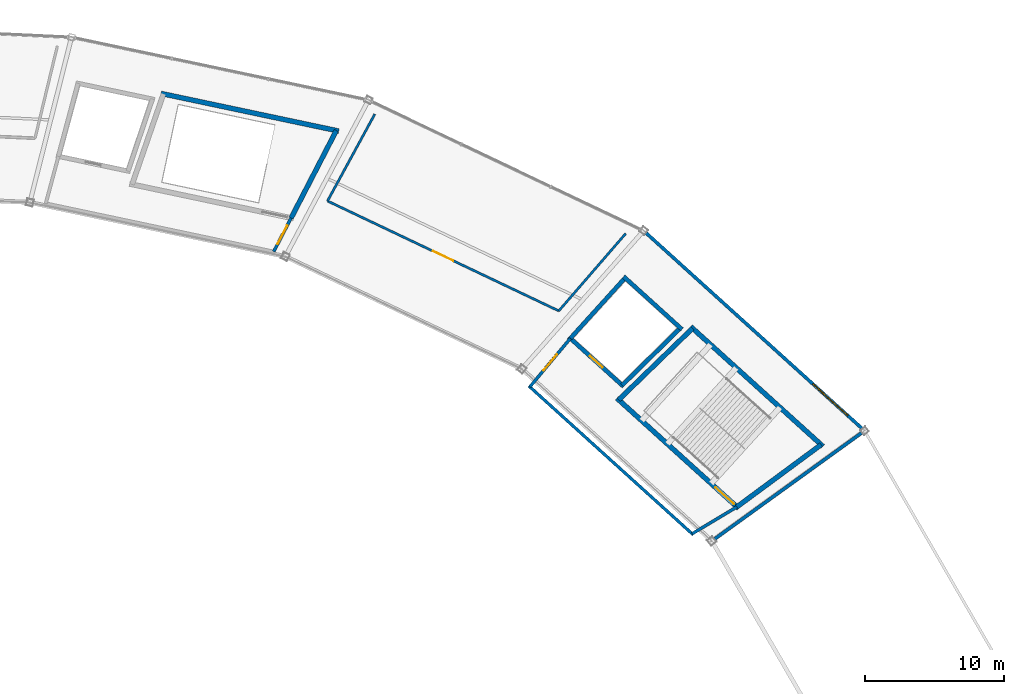
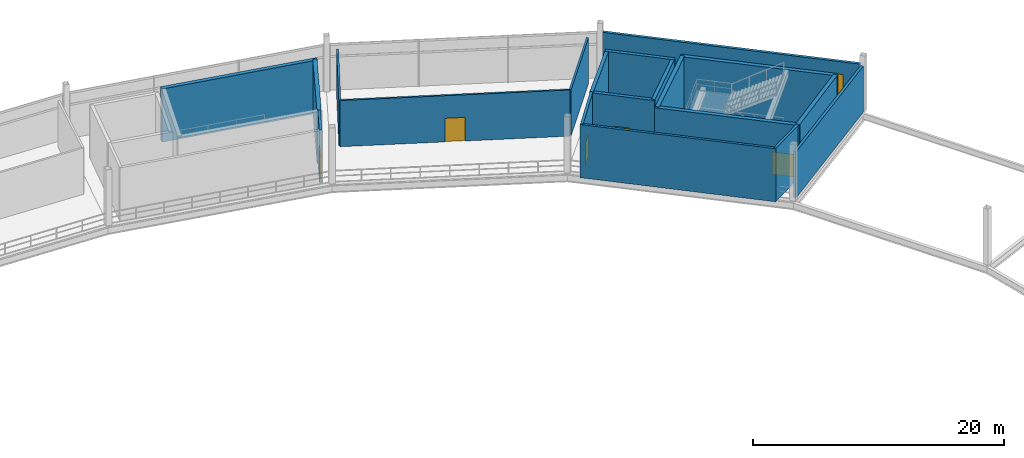
# One storey, part 78 of 103: 19 walls, 5 doors, 1 window, 6 openings.
"""IFC4 building model written with IfcOpenShell, lengths in metres."""

from ifc_helpers import new_model, si_unit, direction, frame, frame_2d, origin, place, context, subcontext, project, spatial, rectangle, extrude, material, layer, layer_set, type_object, element, fill, save


model = new_model("IFC4")

# Units and contexts
model_context = context("Model", 3, precision=1e-05, world=origin(), true_north=direction((0.0, 1.0)))
body_context = subcontext(model_context, "Body", "Model", "MODEL_VIEW")
ifc_project = project(units=[si_unit("LENGTHUNIT", "METRE"), si_unit("AREAUNIT", "SQUARE_METRE"), si_unit("VOLUMEUNIT", "CUBIC_METRE"), si_unit("PLANEANGLEUNIT", "RADIAN"), si_unit("MASSUNIT", "GRAM", prefix="KILO")], contexts=[model_context])

# Site, building, storey
site_placement = place(None, origin())
site = spatial("IfcSite", under=ifc_project, at=site_placement, CompositionType="ELEMENT")
building_placement = place(site_placement, origin())
building = spatial("IfcBuilding", under=site, at=building_placement, Name="Kazemori Nagisa Stadium", CompositionType="ELEMENT")
storey_placement = place(building_placement, frame((0.0, 0.0, 25.840087890625)))
storey = spatial("IfcBuildingStorey", under=building, at=storey_placement, Name="L05", CompositionType="ELEMENT", Elevation=25.840087890625)

# Wall, opening, door
ifc_material_1 = material(Name="Concrete C40/50 (Fc42)", Category="concrete")
ifc_layer_1 = layer(ifc_material_1, 0.35009765625, Name="Concrete C40/50 (Fc42)", Category="concrete")
ifc_layer_set_1 = layer_set([ifc_layer_1], Name="Concrete C40/50 (Fc42)")
wall_type_1 = type_object("IfcWallType", Name="Wall_W-CORE-350", PredefinedType="SHEAR", material=ifc_layer_set_1)
wall_1_placement = place(storey_placement, frame((192.438720703125, 153.072021484375, 0.0), z_axis=(0.0, 0.0, 1.0), x_axis=(-0.741358227035, 0.671109513572, 0.0)))
wall_1 = element("IfcWall", 1, at=wall_1_placement, inside=storey, type_object=wall_type_1, Name="Core stair front shear wall ST01 L05", PredefinedType="SHEAR", context=body_context, shape_type="SweptSolid", body=[
    extrude(rectangle(XDim=11.82666015625, YDim=0.35009765625, at=frame_2d((5.913330078125, 0.0))), origin(), (0.0, 0.0, 1.0), 5.179931640625),
])
opening_1_placement = place(wall_1_placement, frame((0.47509765625, 0.0, 0.0)))
opening_1 = element("IfcOpeningElement", 2, at=opening_1_placement, cuts=wall_1, Name="Opening D-ST-1800", PredefinedType="OPENING", context=body_context, shape_type="SweptSolid", body=[
    extrude(rectangle(XDim=1.800048828125, YDim=2.199951171875, at=frame_2d((0.89990234375, 1.10009765625))), frame((0.0, 0.18505859375, 0.0), z_axis=(0.0, -1.0, 0.0), x_axis=(1.0, 0.0, 0.0)), (0.0, 0.0, 1.0), 0.3701171875),
])
ifc_material_2 = material(Name="Galvanised steel sheet", Category="steel")
door_type_1 = type_object("IfcDoorType", Name="Door_D-ST-1800", OperationType="NOTDEFINED", PredefinedType="DOOR", material=ifc_material_2)
door_1_placement = place(opening_1_placement, frame((1.800048828125, 0.0, 0.0), z_axis=(0.0, 0.0, 1.0), x_axis=(-1.0, 0.0, 0.0)))
door_1 = element("IfcDoor", 3, at=door_1_placement, inside=storey, type_object=door_type_1, Name="Exit stair fire door ST01-L05", OperationType="SINGLE_SWING_LEFT", OverallHeight=2.199951171875, OverallWidth=1.800048828125, PredefinedType="DOOR", context=body_context, shape_type="SweptSolid", body=[
    extrude(rectangle(XDim=1.800048828125, YDim=2.199951171875, at=frame_2d((0.89990234375, 1.10009765625))), frame((0.0, 0.02490234375, 0.0), z_axis=(0.0, -1.0, 0.0), x_axis=(1.0, 0.0, 0.0)), (0.0, 0.0, 1.0), 0.050048828125),
])
fill(opening_1, door_1)

# Walls
wall_2_placement = place(storey_placement, frame((198.499267578125, 157.548095703125, 0.0), z_axis=(0.0, 0.0, 1.0), x_axis=(-0.741351373721, 0.671117084183, 0.0)))
element("IfcWall", 4, at=wall_2_placement, inside=storey, type_object=wall_type_1, Name="Core stair rear shear wall ST01 L05", PredefinedType="SHEAR", context=body_context, shape_type="SweptSolid", body=[
    extrude(rectangle(XDim=12.830322265625, YDim=0.35009765625, at=frame_2d((6.4150390625, 0.0))), origin(), (0.0, 0.0, 1.0), 5.179931640625),
])
wall_3_placement = place(storey_placement, frame((192.308837890625, 153.189453125, 0.0), z_axis=(0.0, 0.0, 1.0), x_axis=(0.804395625347, 0.594093997548, 0.0)))
element("IfcWall", 5, at=wall_3_placement, inside=storey, type_object=wall_type_1, Name="Core stair left shear wall ST01 L05", PredefinedType="SHEAR", context=body_context, shape_type="SweptSolid", body=[
    extrude(rectangle(XDim=7.5341796875, YDim=0.35009765625, at=frame_2d((3.76708984375, 0.0))), origin(), (0.0, 0.0, 1.0), 5.179931640625),
])
wall_4_placement = place(storey_placement, frame((183.800537109375, 160.8916015625, 0.0), z_axis=(0.0, 0.0, 1.0), x_axis=(0.718297398554, 0.69573619083, 0.0)))
element("IfcWall", 6, at=wall_4_placement, inside=storey, type_object=wall_type_1, Name="Core stair right shear wall ST01 L05", PredefinedType="SHEAR", context=body_context, shape_type="SweptSolid", body=[
    extrude(rectangle(XDim=7.40185546875, YDim=0.35009765625, at=frame_2d((3.700927734375, 0.0))), origin(), (0.0, 0.0, 1.0), 5.179931640625),
])
wall_5_placement = place(storey_placement, frame((163.655029296875, 180.2333984375, 0.0), z_axis=(0.0, 0.0, 1.0), x_axis=(-0.978345119536, 0.206980257705, 0.0)))
element("IfcWall", 7, at=wall_5_placement, inside=storey, type_object=wall_type_1, Name="Core stair rear shear wall ST11 L05", PredefinedType="SHEAR", context=body_context, shape_type="SweptSolid", body=[
    extrude(rectangle(XDim=13.06689453125, YDim=0.35009765625, at=frame_2d((6.533447265625, 0.0))), origin(), (0.0, 0.0, 1.0), 5.179931640625),
])
wall_6_placement = place(storey_placement, frame((160.228515625, 173.975830078125, 0.0), z_axis=(0.0, 0.0, 1.0), x_axis=(0.459409796564, 0.888224430435, 0.0)))
element("IfcWall", 8, at=wall_6_placement, inside=storey, type_object=wall_type_1, Name="Core stair left shear wall ST11 L05", PredefinedType="SHEAR", context=body_context, shape_type="SweptSolid", body=[
    extrude(rectangle(XDim=7.0859375, YDim=0.35009765625, at=frame_2d((3.54296875, 0.0))), origin(), (0.0, 0.0, 1.0), 5.179931640625),
])

# Wall, opening, window
ifc_material_3 = material(Name="Steel S355 (SN490B)", Category="steel")
ifc_layer_2 = layer(ifc_material_3, 0.239990234375, Name="Steel S355 (SN490B)", Category="steel")
ifc_layer_set_2 = layer_set([ifc_layer_2], Name="Steel S355 (SN490B)")
wall_type_2 = type_object("IfcWallType", Name="Wall_W-EXT-240", PredefinedType="SOLIDWALL", material=ifc_layer_set_2)
wall_7_placement = place(storey_placement, frame((201.332275390625, 158.815185546875, 0.0), z_axis=(0.0, 0.0, 1.0), x_axis=(-0.741349049196, 0.671119651967, 0.0)))
wall_7 = element("IfcWall", 9, at=wall_7_placement, inside=storey, type_object=wall_type_2, Name="Exterior facade wall L05-04", PredefinedType="SOLIDWALL", context=body_context, shape_type="SweptSolid", body=[
    extrude(rectangle(XDim=21.00390625, YDim=0.239990234375, at=frame_2d((10.501953125, 0.0))), origin(), (0.0, 0.0, 1.0), 4.530029296875),
])
opening_2_placement = place(wall_7_placement, frame((1.39990234375, 0.0, 1.0)))
opening_2 = element("IfcOpeningElement", 10, at=opening_2_placement, cuts=wall_7, Name="Opening WIN-L05-3400", PredefinedType="OPENING", context=body_context, shape_type="SweptSolid", body=[
    extrude(rectangle(XDim=3.39990234375, YDim=2.300048828125, at=frame_2d((1.699951171875, 1.14990234375))), frame((0.0, 0.1298828125, 0.0), z_axis=(0.0, -1.0, 0.0), x_axis=(1.0, 0.0, 0.0)), (0.0, 0.0, 1.0), 0.260009765625),
])
ifc_material_4 = material(Name="Low-e laminated double glazing", Category="glass")
window_type = type_object("IfcWindowType", Name="Window_WIN-L05-3400", PartitioningType="SINGLE_PANEL", PredefinedType="WINDOW", material=ifc_material_4)
window_placement = place(opening_2_placement, origin())
window = element("IfcWindow", 11, at=window_placement, inside=storey, type_object=window_type, Name="Core lobby window L05-04", OverallHeight=2.300048828125, OverallWidth=3.39990234375, PartitioningType="SINGLE_PANEL", PredefinedType="WINDOW", context=body_context, shape_type="SweptSolid", body=[
    extrude(rectangle(XDim=3.39990234375, YDim=2.300048828125, at=frame_2d((1.699951171875, 1.14990234375))), frame((0.0, 0.030029296875, 0.0), z_axis=(0.0, -1.0, 0.0), x_axis=(1.0, 0.0, 0.0)), (0.0, 0.0, 1.0), 0.06005859375),
])
fill(opening_2, window)

# Walls
wall_8_placement = place(storey_placement, frame((190.684326171875, 150.863037109375, 0.0), z_axis=(0.0, 0.0, 1.0), x_axis=(0.810798505274, 0.585325365797, 0.0)))
element("IfcWall", 12, at=wall_8_placement, inside=storey, type_object=wall_type_2, Name="Gondola end facade wall L05-B04L", PredefinedType="SOLIDWALL", context=body_context, shape_type="SweptSolid", body=[
    extrude(rectangle(XDim=13.11376953125, YDim=0.239990234375, at=frame_2d((6.556884765625, 0.0))), origin(), (0.0, 0.0, 1.0), 4.47802734375),
])
ifc_material_5 = material(Name="Concrete C36/45 (Fc36)", Category="concrete")
ifc_layer_3 = layer(ifc_material_5, 0.219970703125, Name="Concrete C36/45 (Fc36)", Category="concrete")
ifc_layer_set_3 = layer_set([ifc_layer_3], Name="Concrete C36/45 (Fc36)")
wall_type_3 = type_object("IfcWallType", Name="Wall_W-LOBBY-220", PredefinedType="SOLIDWALL", material=ifc_layer_set_3)
wall_9_placement = place(storey_placement, frame((189.166259765625, 151.1806640625, 0.0), z_axis=(0.0, 0.0, 1.0), x_axis=(-0.741351035574, 0.671117457717, 0.0)))
element("IfcWall", 13, at=wall_9_placement, inside=storey, type_object=wall_type_3, Name="Core lobby fire wall ST01 L05", PredefinedType="SOLIDWALL", context=body_context, shape_type="SweptSolid", body=[
    extrude(rectangle(XDim=15.96923828125, YDim=0.219970703125, at=frame_2d((7.984619140625, 0.0))), origin(), (0.0, 0.0, 1.0), 5.179931640625),
])
wall_10_placement = place(storey_placement, frame((189.084716796875, 151.25439453125, 0.0), z_axis=(0.0, 0.0, 1.0), x_axis=(0.857424171966, 0.514610327654, 0.0)))
element("IfcWall", 14, at=wall_10_placement, inside=storey, type_object=wall_type_3, Name="Core lobby left wall ST01 L05", PredefinedType="SOLIDWALL", context=body_context, shape_type="SweptSolid", body=[
    extrude(rectangle(XDim=3.76025390625, YDim=0.219970703125, at=frame_2d((1.880126953125, 0.0))), origin(), (0.0, 0.0, 1.0), 5.179931640625),
])

# Wall, opening, door
wall_11_placement = place(storey_placement, frame((177.408935546875, 161.823974609375, 0.0), z_axis=(0.0, 0.0, 1.0), x_axis=(0.640759627034, 0.767741558315, 0.0)))
wall_11 = element("IfcWall", 15, at=wall_11_placement, inside=storey, type_object=wall_type_3, Name="Core lobby right wall ST01 L05", PredefinedType="SOLIDWALL", context=body_context, shape_type="SweptSolid", body=[
    extrude(rectangle(XDim=4.549072265625, YDim=0.219970703125, at=frame_2d((2.2744140625, 0.0))), origin(), (0.0, 0.0, 1.0), 5.179931640625),
])
opening_3_placement = place(wall_11_placement, frame((1.52392578125, 0.0, 0.0)))
opening_3 = element("IfcOpeningElement", 16, at=opening_3_placement, cuts=wall_11, Name="Opening D-FFL-1500", PredefinedType="OPENING", context=body_context, shape_type="SweptSolid", body=[
    extrude(rectangle(XDim=1.5, YDim=2.199951171875, at=frame_2d((0.75, 1.10009765625))), frame((0.0, 0.119873046875, 0.0), z_axis=(0.0, -1.0, 0.0), x_axis=(1.0, 0.0, 0.0)), (0.0, 0.0, 1.0), 0.239990234375),
])
door_type_2 = type_object("IfcDoorType", Name="Door_D-FFL-1500", OperationType="NOTDEFINED", PredefinedType="DOOR", material=ifc_material_2)
door_2_placement = place(opening_3_placement, origin())
door_2 = element("IfcDoor", 17, at=door_2_placement, inside=storey, type_object=door_type_2, Name="Protected lobby fire door ST01-L05", OperationType="DOUBLE_DOOR_SINGLE_SWING", OverallHeight=2.199951171875, OverallWidth=1.5, PredefinedType="DOOR", context=body_context, shape_type="SweptSolid", body=[
    extrude(rectangle(XDim=1.5, YDim=2.199951171875, at=frame_2d((0.75, 1.10009765625))), frame((0.0, 0.02490234375, 0.0), z_axis=(0.0, -1.0, 0.0), x_axis=(1.0, 0.0, 0.0)), (0.0, 0.0, 1.0), 0.050048828125),
])
fill(opening_3, door_2)

wall_12_placement = place(storey_placement, frame((158.976318359375, 171.55517578125, 0.0), z_axis=(0.0, 0.0, 1.0), x_axis=(0.459461910618, 0.888197473928, 0.0)))
wall_12 = element("IfcWall", 18, at=wall_12_placement, inside=storey, type_object=wall_type_3, Name="Core lobby left wall ST11 L05", PredefinedType="SOLIDWALL", context=body_context, shape_type="SweptSolid", body=[
    extrude(rectangle(XDim=2.725341796875, YDim=0.219970703125, at=frame_2d((1.36279296875, 0.0))), origin(), (0.0, 0.0, 1.0), 5.179931640625),
])
opening_4_placement = place(wall_12_placement, frame((0.613037109375, 0.0, 0.0)))
opening_4 = element("IfcOpeningElement", 19, at=opening_4_placement, cuts=wall_12, Name="Opening D-FFL-1500", PredefinedType="OPENING", context=body_context, shape_type="SweptSolid", body=[
    extrude(rectangle(XDim=1.5, YDim=2.199951171875, at=frame_2d((0.75, 1.10009765625))), frame((0.0, 0.119873046875, 0.0), z_axis=(0.0, -1.0, 0.0), x_axis=(1.0, 0.0, 0.0)), (0.0, 0.0, 1.0), 0.239990234375),
])
door_3_placement = place(opening_4_placement, frame((1.5, 0.0, 0.0), z_axis=(0.0, 0.0, 1.0), x_axis=(-1.0, 0.0, 0.0)))
door_3 = element("IfcDoor", 20, at=door_3_placement, inside=storey, type_object=door_type_2, Name="Protected lobby fire door ST11-L05", OperationType="DOUBLE_DOOR_SINGLE_SWING", OverallHeight=2.199951171875, OverallWidth=1.5, PredefinedType="DOOR", context=body_context, shape_type="SweptSolid", body=[
    extrude(rectangle(XDim=1.5, YDim=2.199951171875, at=frame_2d((0.75, 1.10009765625))), frame((0.0, 0.02490234375, 0.0), z_axis=(0.0, -1.0, 0.0), x_axis=(1.0, 0.0, 0.0)), (0.0, 0.0, 1.0), 0.050048828125),
])
fill(opening_4, door_3)

ifc_material_6 = material(Name="Gypsum plasterboard", Category="gypsum")
ifc_layer_4 = layer(ifc_material_6, 0.1650390625, Name="Gypsum plasterboard", Category="gypsum")
ifc_layer_set_4 = layer_set([ifc_layer_4], Name="Gypsum plasterboard")
wall_type_4 = type_object("IfcWallType", Name="Wall_W-PART-165", PredefinedType="PARTITIONING", material=ifc_layer_set_4)
wall_13_placement = place(storey_placement, frame((179.490966796875, 167.291748046875, 0.0), z_axis=(0.0, 0.0, 1.0), x_axis=(-0.90321677741, 0.429184637429, 0.0)))
wall_13 = element("IfcWall", 21, at=wall_13_placement, inside=storey, type_object=wall_type_4, Name="Room corridor partition L05-B05", PredefinedType="PARTITIONING", context=body_context, shape_type="SweptSolid", body=[
    extrude(rectangle(XDim=18.42724609375, YDim=0.1650390625, at=frame_2d((9.213623046875, 0.0))), origin(), (0.0, 0.0, 1.0), 4.5),
])
opening_5_placement = place(wall_13_placement, frame((8.4140625, 0.0, 0.0)))
opening_5 = element("IfcOpeningElement", 22, at=opening_5_placement, cuts=wall_13, Name="Opening D-LNG-1600", PredefinedType="OPENING", context=body_context, shape_type="SweptSolid", body=[
    extrude(rectangle(XDim=1.60009765625, YDim=2.300048828125, at=frame_2d((0.800048828125, 1.14990234375))), frame((0.0, 0.092529296875, 0.0), z_axis=(0.0, -1.0, 0.0), x_axis=(1.0, 0.0, 0.0)), (0.0, 0.0, 1.0), 0.18505859375),
])
ifc_material_7 = material(Name="Anodised aluminium 6063-T5", Category="aluminium")
door_type_3 = type_object("IfcDoorType", Name="Door_D-LNG-1600", OperationType="NOTDEFINED", PredefinedType="DOOR", material=ifc_material_7)
door_4_placement = place(opening_5_placement, origin())
door_4 = element("IfcDoor", 23, at=door_4_placement, inside=storey, type_object=door_type_3, Name="Room entrance door D-LNG-1600 L05-B05", OperationType="DOUBLE_DOOR_SINGLE_SWING", OverallHeight=2.300048828125, OverallWidth=1.60009765625, PredefinedType="DOOR", context=body_context, shape_type="SweptSolid", body=[
    extrude(rectangle(XDim=1.60009765625, YDim=2.300048828125, at=frame_2d((0.800048828125, 1.14990234375))), frame((0.0, 0.02490234375, 0.0), z_axis=(0.0, -1.0, 0.0), x_axis=(1.0, 0.0, 0.0)), (0.0, 0.0, 1.0), 0.050048828125),
])
fill(opening_5, door_4)

# Walls
wall_14_placement = place(storey_placement, frame((179.490966796875, 167.291748046875, 0.0), z_axis=(0.0, 0.0, 1.0), x_axis=(0.654288201841, 0.7562452968, 0.0)))
element("IfcWall", 24, at=wall_14_placement, inside=storey, type_object=wall_type_4, Name="Room radial partition L05-B05-L", PredefinedType="PARTITIONING", context=body_context, shape_type="SweptSolid", body=[
    extrude(rectangle(XDim=7.367919921875, YDim=0.1650390625, at=frame_2d((3.68408203125, 0.0))), origin(), (0.0, 0.0, 1.0), 4.5),
])
wall_15_placement = place(storey_placement, frame((162.84716796875, 175.200439453125, 0.0), z_axis=(0.0, 0.0, 1.0), x_axis=(0.47812325427, 0.878292749444, 0.0)))
element("IfcWall", 25, at=wall_15_placement, inside=storey, type_object=wall_type_4, Name="Room radial partition L05-B05-R", PredefinedType="PARTITIONING", context=body_context, shape_type="SweptSolid", body=[
    extrude(rectangle(XDim=7.112548828125, YDim=0.1650390625, at=frame_2d((3.55615234375, 0.0))), origin(), (0.0, 0.0, 1.0), 4.5),
])

# Wall, opening, door
ifc_layer_5 = layer(ifc_material_1, 0.300048828125, Name="Concrete C40/50 (Fc42)", Category="concrete")
ifc_layer_set_5 = layer_set([ifc_layer_5], Name="Concrete C40/50 (Fc42)")
wall_type_5 = type_object("IfcWallType", Name="Wall_W-SHAFT-300", PredefinedType="SHEAR", material=ifc_layer_set_5)
wall_16_placement = place(storey_placement, frame((184.1630859375, 161.840576171875, 0.0), z_axis=(0.0, 0.0, 1.0), x_axis=(-0.741350155641, 0.671118429736, 0.0)))
wall_16 = element("IfcWall", 26, at=wall_16_placement, inside=storey, type_object=wall_type_5, Name="Lift shaft front wall FL1 L05", PredefinedType="SHEAR", context=body_context, shape_type="SweptSolid", body=[
    extrude(rectangle(XDim=5.3291015625, YDim=0.300048828125, at=frame_2d((2.66455078125, 0.0))), origin(), (0.0, 0.0, 1.0), 5.179931640625),
])
opening_6_placement = place(wall_16_placement, frame((2.06494140625, 0.0, 0.0)))
opening_6 = element("IfcOpeningElement", 27, at=opening_6_placement, cuts=wall_16, Name="Opening LD-FF", PredefinedType="OPENING", context=body_context, shape_type="SweptSolid", body=[
    extrude(rectangle(XDim=1.199951171875, YDim=2.199951171875, at=frame_2d((0.60009765625, 1.10009765625))), frame((0.0, 0.159912109375, 0.0), z_axis=(0.0, -1.0, 0.0), x_axis=(1.0, 0.0, 0.0)), (0.0, 0.0, 1.0), 0.320068359375),
])
ifc_material_8 = material(Name="Stainless steel SUS304", Category="steel")
door_type_4 = type_object("IfcDoorType", Name="Door_LD-FF", OperationType="SLIDING_TO_LEFT", PredefinedType="DOOR", material=ifc_material_8)
door_5_placement = place(opening_6_placement, origin())
door_5 = element("IfcDoor", 28, at=door_5_placement, inside=storey, type_object=door_type_4, Name="Lift landing door FL1-L05", OperationType="SLIDING_TO_LEFT", OverallHeight=2.199951171875, OverallWidth=1.199951171875, PredefinedType="DOOR", context=body_context, shape_type="SweptSolid", body=[
    extrude(rectangle(XDim=1.199951171875, YDim=2.199951171875, at=frame_2d((0.60009765625, 1.10009765625))), frame((0.0, 0.02490234375, 0.0), z_axis=(0.0, -1.0, 0.0), x_axis=(1.0, 0.0, 0.0)), (0.0, 0.0, 1.0), 0.050048828125),
])
fill(opening_6, door_5)

# Walls
wall_17_placement = place(storey_placement, frame((188.359619140625, 165.960693359375, 0.0), z_axis=(0.0, 0.0, 1.0), x_axis=(-0.74134208775, 0.671127341815, 0.0)))
element("IfcWall", 29, at=wall_17_placement, inside=storey, type_object=wall_type_5, Name="Lift shaft B wall FL1 L05", PredefinedType="SHEAR", context=body_context, shape_type="SweptSolid", body=[
    extrude(rectangle(XDim=5.674560546875, YDim=0.300048828125, at=frame_2d((2.83740234375, 0.0))), origin(), (0.0, 0.0, 1.0), 5.179931640625),
])
wall_18_placement = place(storey_placement, frame((184.052001953125, 161.941162109375, 0.0), z_axis=(0.0, 0.0, 1.0), x_axis=(0.713553028001, 0.700601224828, 0.0)))
element("IfcWall", 30, at=wall_18_placement, inside=storey, type_object=wall_type_5, Name="Lift shaft L wall FL1 L05", PredefinedType="SHEAR", context=body_context, shape_type="SweptSolid", body=[
    extrude(rectangle(XDim=5.881103515625, YDim=0.300048828125, at=frame_2d((2.9404296875, 0.0))), origin(), (0.0, 0.0, 1.0), 5.179931640625),
])
wall_19_placement = place(storey_placement, frame((180.32373046875, 165.31640625, 0.0), z_axis=(0.0, 0.0, 1.0), x_axis=(0.67115829282, 0.741314067031, 0.0)))
element("IfcWall", 31, at=wall_19_placement, inside=storey, type_object=wall_type_5, Name="Lift shaft R wall FL1 L05", PredefinedType="SHEAR", context=body_context, shape_type="SweptSolid", body=[
    extrude(rectangle(XDim=5.87060546875, YDim=0.300048828125, at=frame_2d((2.935302734375, 0.0))), origin(), (0.0, 0.0, 1.0), 5.179931640625),
])

save(model, "model.ifc")
